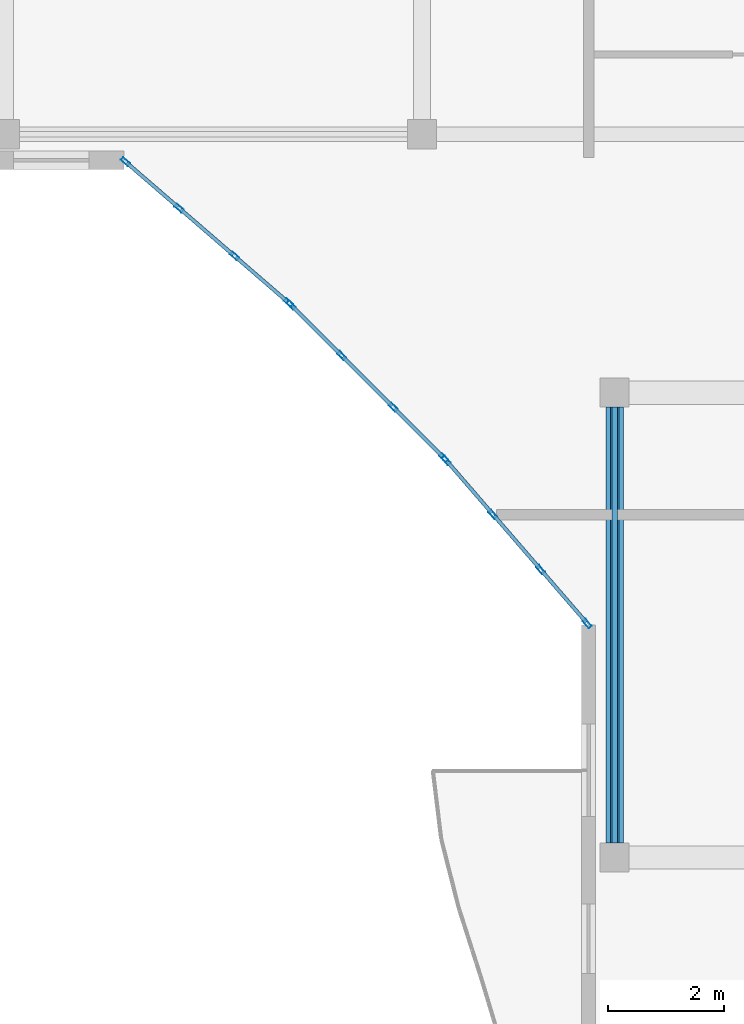
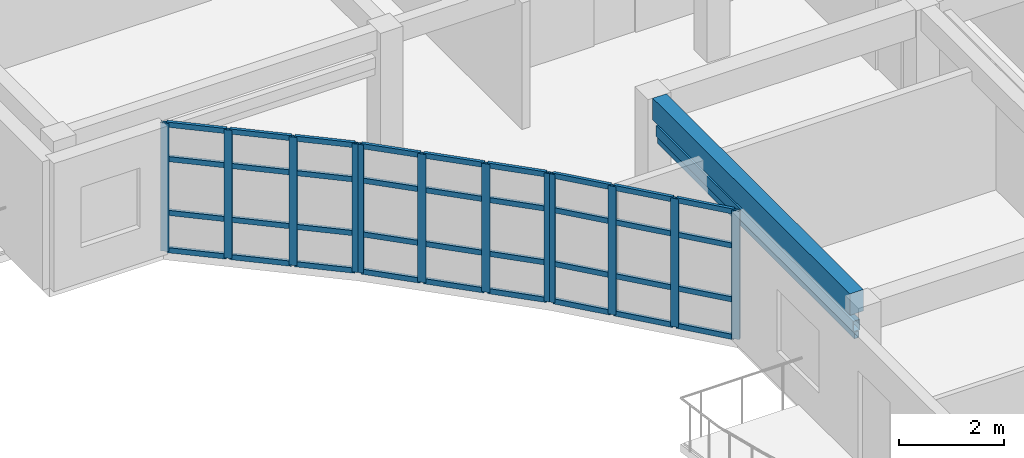
# One storey, part 3 of 30: 50 members, 1 beam, 3 elements without a shape of their own.
"""IFC4 building model written with IfcOpenShell, lengths in metres."""

from ifc_helpers import new_model, si_unit, direction, frame, origin, origin_2d, place, context, subcontext, project, spatial, rectangle, hollow_rectangle, extrude, material, layer, layer_set, material_profile, profile_set, type_object, element, aggregate, save


model = new_model("IFC4")

# Units and contexts
model_context = context("Model", 3, precision=1e-05, world=origin(), true_north=direction((0.0, 1.0)))
body_context = subcontext(model_context, "Body", "Model", "MODEL_VIEW")
ifc_project = project(units=[si_unit("LENGTHUNIT", "METRE"), si_unit("AREAUNIT", "SQUARE_METRE"), si_unit("VOLUMEUNIT", "CUBIC_METRE"), si_unit("PLANEANGLEUNIT", "RADIAN"), si_unit("MASSUNIT", "GRAM", prefix="KILO")], contexts=[model_context])

# Site, building, storey
site_placement = place(None, origin())
site = spatial("IfcSite", under=ifc_project, at=site_placement, CompositionType="ELEMENT")
building_placement = place(site_placement, origin())
building = spatial("IfcBuilding", under=site, at=building_placement, Name="Keldmere Railside Commons", CompositionType="ELEMENT")
storey_placement = place(building_placement, frame((0.0, 0.0, 36.159912109375)))
storey = spatial("IfcBuildingStorey", under=building, at=storey_placement, Name="L11", CompositionType="ELEMENT", Elevation=36.159912109375)

# Member
ifc_material_1 = material(Name="Steel F-36 (S355)", Category="steel")
ifc_material_profile_1 = material_profile(ifc_material_1, hollow_rectangle(XDim=0.14990234375, YDim=0.25, WallThickness=0.010009765625, at=origin_2d()), Name="RHS-250x150x10")
ifc_profile_set_1 = profile_set([ifc_material_profile_1], Name="Steel F-36 (S355)")
member_type_1 = type_object("IfcMemberType", Name="Balcony Continuous Planted Trough RHS250x150", PredefinedType="CHORD", material=ifc_profile_set_1)
member_1_placement = place(storey_placement, frame((104.449951171875, 88.25, 2.4150390625), z_axis=(0.0, 1.0, 0.0), x_axis=(-1.0, 0.0, 0.0)))
element("IfcMember", 1, at=member_1_placement, inside=storey, type_object=member_type_1, Name="PLT-1 MEM-BPLT-1011", PredefinedType="CHORD", context=body_context, shape_type="SweptSolid", body=[
    extrude(hollow_rectangle(XDim=0.14990234375, YDim=0.25, WallThickness=0.010009765625, at=origin_2d()), origin(), (0.0, 0.0, 1.0), 7.5),
])

# Beam
ifc_material_2 = material(Name="Concrete H-30 (C30/37)", Category="concrete")
ifc_material_profile_2 = material_profile(ifc_material_2, rectangle(XDim=0.300048828125, YDim=0.5, at=origin_2d()), Name="RC-300x500")
ifc_profile_set_2 = profile_set([ifc_material_profile_2], Name="Concrete H-30 (C30/37)")
beam_type = type_object("IfcBeamType", Name="Secondary Frame RC Beam 300x500", PredefinedType="BEAM", material=ifc_profile_set_2)
beam_placement = place(storey_placement, frame((104.449951171875, 88.25, 2.9501953125), z_axis=(0.0, 1.0, 0.0), x_axis=(-1.0, 0.0, 0.0)))
element("IfcBeam", 2, at=beam_placement, inside=storey, type_object=beam_type, Name="BG-5 BM-L11-2461", PredefinedType="BEAM", context=body_context, shape_type="SweptSolid", body=[
    extrude(rectangle(XDim=0.300048828125, YDim=0.5, at=origin_2d()), origin(), (0.0, 0.0, 1.0), 7.5),
])

# Member
ifc_material_profile_3 = material_profile(ifc_material_1, hollow_rectangle(XDim=0.10009765625, YDim=0.159912109375, WallThickness=0.008056640625, at=origin_2d()), Name="RHS-160x100x8")
ifc_profile_set_3 = profile_set([ifc_material_profile_3], Name="Steel F-36 (S355)")
member_type_2 = type_object("IfcMemberType", Name="Solar Brise-Soleil Louvre Fin RHS160x100", PredefinedType="STRUT", material=ifc_profile_set_3)
member_2_placement = place(storey_placement, frame((104.449951171875, 88.25, 2.2001953125), z_axis=(0.0, 1.0, 0.0), x_axis=(-1.0, 0.0, 0.0)))
element("IfcMember", 3, at=member_2_placement, inside=storey, type_object=member_type_2, Name="BSF-1 MEM-BSF-1012", PredefinedType="STRUT", context=body_context, shape_type="SweptSolid", body=[
    extrude(hollow_rectangle(XDim=0.10009765625, YDim=0.159912109375, WallThickness=0.008056640625, at=origin_2d()), origin(), (0.0, 0.0, 1.0), 7.5),
])

# Curtain wall, members
ifc_material_3 = material(Name="Thermally Broken Aluminium", Category="aluminium")
ifc_layer_1 = layer(ifc_material_3, 0.159912109375, Name="Court Chord Wintergarden CW 4800x2850")
ifc_layer_set_1 = layer_set([ifc_layer_1], Name="Thermally Broken Aluminium")
curtain_wall_type_1 = type_object("IfcCurtainWallType", Name="Court Chord Wintergarden CW 4800x2850", PredefinedType="NOTDEFINED", material=ifc_layer_set_1)
curtain_wall_1_placement = place(storey_placement, origin())
curtain_wall_1 = element("IfcCurtainWall", 4, at=curtain_wall_1_placement, inside=storey, type_object=curtain_wall_type_1, Name="CW-12 CW-L11-154", PredefinedType="NOTDEFINED")
ifc_material_profile_4 = material_profile(ifc_material_3, hollow_rectangle(XDim=0.06494140625, YDim=0.159912109375, WallThickness=0.00390625, at=origin_2d()), Name="ALU-MULL-65x160")
ifc_profile_set_4 = profile_set([ifc_material_profile_4], Name="Thermally Broken Aluminium")
member_type_3 = type_object("IfcMemberType", Name="Unitised Curtain Wall Mullion 65x160", PredefinedType="MULLION", material=ifc_profile_set_4)
member_3_placement = place(storey_placement, frame((98.83349609375, 97.55126953125, 0.0), z_axis=(0.0, 0.0, 1.0), x_axis=(-0.653881741053, -0.756596767584, 0.0)))
member_3 = element("IfcMember", 5, at=member_3_placement, type_object=member_type_3, Name="CW-12 mullion 1", PredefinedType="MULLION", context=body_context, shape_type="SweptSolid", body=[
    extrude(hollow_rectangle(XDim=0.06494140625, YDim=0.159912109375, WallThickness=0.00390625, at=origin_2d()), origin(), (0.0, 0.0, 1.0), 2.97998046875),
])
member_4_placement = place(storey_placement, frame((97.9052734375, 98.353271484375, 0.0), z_axis=(0.0, 0.0, 1.0), x_axis=(-0.653881741053, -0.756596767584, 0.0)))
member_4 = element("IfcMember", 6, at=member_4_placement, type_object=member_type_3, Name="CW-12 mullion 2", PredefinedType="MULLION", context=body_context, shape_type="SweptSolid", body=[
    extrude(hollow_rectangle(XDim=0.06494140625, YDim=0.159912109375, WallThickness=0.00390625, at=origin_2d()), origin(), (0.0, 0.0, 1.0), 2.97998046875),
])
member_5_placement = place(storey_placement, frame((96.95263671875, 99.1767578125, 0.0), z_axis=(0.0, 0.0, 1.0), x_axis=(-0.653881741053, -0.756596767584, 0.0)))
member_5 = element("IfcMember", 7, at=member_5_placement, type_object=member_type_3, Name="CW-12 mullion 3", PredefinedType="MULLION", context=body_context, shape_type="SweptSolid", body=[
    extrude(hollow_rectangle(XDim=0.06494140625, YDim=0.159912109375, WallThickness=0.00390625, at=origin_2d()), origin(), (0.0, 0.0, 1.0), 2.97998046875),
])
member_6_placement = place(storey_placement, frame((96.024658203125, 99.978759765625, 0.0), z_axis=(0.0, 0.0, 1.0), x_axis=(-0.653881741053, -0.756596767584, 0.0)))
member_6 = element("IfcMember", 8, at=member_6_placement, type_object=member_type_3, Name="CW-12 mullion 4", PredefinedType="MULLION", context=body_context, shape_type="SweptSolid", body=[
    extrude(hollow_rectangle(XDim=0.06494140625, YDim=0.159912109375, WallThickness=0.00390625, at=origin_2d()), origin(), (0.0, 0.0, 1.0), 2.97998046875),
])

ifc_layer_2 = layer(ifc_material_3, 0.159912109375, Name="Court Chord Wintergarden CW 5400x2850")
ifc_layer_set_2 = layer_set([ifc_layer_2], Name="Thermally Broken Aluminium")
curtain_wall_type_2 = type_object("IfcCurtainWallType", Name="Court Chord Wintergarden CW 5400x2850", PredefinedType="NOTDEFINED", material=ifc_layer_set_2)
curtain_wall_2_placement = place(storey_placement, origin())
curtain_wall_2 = element("IfcCurtainWall", 9, at=curtain_wall_2_placement, inside=storey, type_object=curtain_wall_type_2, Name="CW-13 CW-L11-155", PredefinedType="NOTDEFINED")
member_7_placement = place(storey_placement, frame((101.507080078125, 94.880859375, 0.0), z_axis=(0.0, 0.0, 1.0), x_axis=(-0.707106781187, -0.707106781187, 0.0)))
member_7 = element("IfcMember", 10, at=member_7_placement, type_object=member_type_3, Name="CW-13 mullion 1", PredefinedType="MULLION", context=body_context, shape_type="SweptSolid", body=[
    extrude(hollow_rectangle(XDim=0.06494140625, YDim=0.159912109375, WallThickness=0.00390625, at=origin_2d()), origin(), (0.0, 0.0, 1.0), 2.97998046875),
])
member_8_placement = place(storey_placement, frame((100.639404296875, 95.748779296875, 0.0), z_axis=(0.0, 0.0, 1.0), x_axis=(-0.707106781187, -0.707106781187, 0.0)))
member_8 = element("IfcMember", 11, at=member_8_placement, type_object=member_type_3, Name="CW-13 mullion 2", PredefinedType="MULLION", context=body_context, shape_type="SweptSolid", body=[
    extrude(hollow_rectangle(XDim=0.06494140625, YDim=0.159912109375, WallThickness=0.00390625, at=origin_2d()), origin(), (0.0, 0.0, 1.0), 2.97998046875),
])
member_9_placement = place(storey_placement, frame((99.748779296875, 96.639404296875, 0.0), z_axis=(0.0, 0.0, 1.0), x_axis=(-0.707106781187, -0.707106781187, 0.0)))
member_9 = element("IfcMember", 12, at=member_9_placement, type_object=member_type_3, Name="CW-13 mullion 3", PredefinedType="MULLION", context=body_context, shape_type="SweptSolid", body=[
    extrude(hollow_rectangle(XDim=0.06494140625, YDim=0.159912109375, WallThickness=0.00390625, at=origin_2d()), origin(), (0.0, 0.0, 1.0), 2.97998046875),
])
member_10_placement = place(storey_placement, frame((98.880859375, 97.507080078125, 0.0), z_axis=(0.0, 0.0, 1.0), x_axis=(-0.707106781187, -0.707106781187, 0.0)))
member_10 = element("IfcMember", 13, at=member_10_placement, type_object=member_type_3, Name="CW-13 mullion 4", PredefinedType="MULLION", context=body_context, shape_type="SweptSolid", body=[
    extrude(hollow_rectangle(XDim=0.06494140625, YDim=0.159912109375, WallThickness=0.00390625, at=origin_2d()), origin(), (0.0, 0.0, 1.0), 2.97998046875),
])

curtain_wall_3_placement = place(storey_placement, origin())
curtain_wall_3 = element("IfcCurtainWall", 14, at=curtain_wall_3_placement, inside=storey, type_object=curtain_wall_type_1, Name="CW-12 CW-L11-156", PredefinedType="NOTDEFINED")
member_11_placement = place(storey_placement, frame((103.978759765625, 92.024658203125, 0.0), z_axis=(0.0, 0.0, 1.0), x_axis=(-0.756596767584, -0.653881741053, 0.0)))
member_11 = element("IfcMember", 15, at=member_11_placement, type_object=member_type_3, Name="CW-12 mullion 1", PredefinedType="MULLION", context=body_context, shape_type="SweptSolid", body=[
    extrude(hollow_rectangle(XDim=0.06494140625, YDim=0.159912109375, WallThickness=0.00390625, at=origin_2d()), origin(), (0.0, 0.0, 1.0), 2.97998046875),
])
member_12_placement = place(storey_placement, frame((103.1767578125, 92.95263671875, 0.0), z_axis=(0.0, 0.0, 1.0), x_axis=(-0.756596767584, -0.653881741053, 0.0)))
member_12 = element("IfcMember", 16, at=member_12_placement, type_object=member_type_3, Name="CW-12 mullion 2", PredefinedType="MULLION", context=body_context, shape_type="SweptSolid", body=[
    extrude(hollow_rectangle(XDim=0.06494140625, YDim=0.159912109375, WallThickness=0.00390625, at=origin_2d()), origin(), (0.0, 0.0, 1.0), 2.97998046875),
])
member_13_placement = place(storey_placement, frame((102.353271484375, 93.9052734375, 0.0), z_axis=(0.0, 0.0, 1.0), x_axis=(-0.756596767584, -0.653881741053, 0.0)))
member_13 = element("IfcMember", 17, at=member_13_placement, type_object=member_type_3, Name="CW-12 mullion 3", PredefinedType="MULLION", context=body_context, shape_type="SweptSolid", body=[
    extrude(hollow_rectangle(XDim=0.06494140625, YDim=0.159912109375, WallThickness=0.00390625, at=origin_2d()), origin(), (0.0, 0.0, 1.0), 2.97998046875),
])
member_14_placement = place(storey_placement, frame((101.55126953125, 94.83349609375, 0.0), z_axis=(0.0, 0.0, 1.0), x_axis=(-0.756596767584, -0.653881741053, 0.0)))
member_14 = element("IfcMember", 18, at=member_14_placement, type_object=member_type_3, Name="CW-12 mullion 4", PredefinedType="MULLION", context=body_context, shape_type="SweptSolid", body=[
    extrude(hollow_rectangle(XDim=0.06494140625, YDim=0.159912109375, WallThickness=0.00390625, at=origin_2d()), origin(), (0.0, 0.0, 1.0), 2.97998046875),
])

# Member
ifc_material_profile_5 = material_profile(ifc_material_3, hollow_rectangle(XDim=0.06494140625, YDim=0.1201171875, WallThickness=0.00390625, at=origin_2d()), Name="ALU-TRAN-65x120")
ifc_profile_set_5 = profile_set([ifc_material_profile_5], Name="Thermally Broken Aluminium")
member_type_4 = type_object("IfcMemberType", Name="Unitised Curtain Wall Transom 65x120", PredefinedType="USERDEFINED", material=ifc_profile_set_5)
member_15_placement = place(storey_placement, frame((98.808837890625, 97.572509765625, 0.032470703125), z_axis=(-0.756624489527, 0.653849663033, 0.0), x_axis=(-0.653849663033, -0.756624489527, 0.0)))
member_15 = element("IfcMember", 19, at=member_15_placement, type_object=member_type_4, Name="CW-12 transom 1.1", ObjectType="TRANSOM", PredefinedType="USERDEFINED", context=body_context, shape_type="SweptSolid", body=[
    extrude(hollow_rectangle(XDim=0.06494140625, YDim=0.1201171875, WallThickness=0.00390625, at=origin_2d()), origin(), (0.0, 0.0, 1.0), 1.16162109375),
])

member_16_placement = place(storey_placement, frame((98.808837890625, 97.572509765625, 0.900146484375), z_axis=(-0.756624489527, 0.653849663033, 0.0), x_axis=(-0.653849663033, -0.756624489527, 0.0)))
member_16 = element("IfcMember", 20, at=member_16_placement, type_object=member_type_4, Name="CW-12 transom 1.2", ObjectType="TRANSOM", PredefinedType="USERDEFINED", context=body_context, shape_type="SweptSolid", body=[
    extrude(hollow_rectangle(XDim=0.06494140625, YDim=0.1201171875, WallThickness=0.00390625, at=origin_2d()), origin(), (0.0, 0.0, 1.0), 1.16162109375),
])

member_17_placement = place(storey_placement, frame((98.808837890625, 97.572509765625, 2.150146484375), z_axis=(-0.756624489527, 0.653849663033, 0.0), x_axis=(-0.653849663033, -0.756624489527, 0.0)))
member_17 = element("IfcMember", 21, at=member_17_placement, type_object=member_type_4, Name="CW-12 transom 1.3", ObjectType="TRANSOM", PredefinedType="USERDEFINED", context=body_context, shape_type="SweptSolid", body=[
    extrude(hollow_rectangle(XDim=0.06494140625, YDim=0.1201171875, WallThickness=0.00390625, at=origin_2d()), origin(), (0.0, 0.0, 1.0), 1.16162109375),
])

member_18_placement = place(storey_placement, frame((98.808837890625, 97.572509765625, 2.947509765625), z_axis=(-0.756624489527, 0.653849663033, 0.0), x_axis=(-0.653849663033, -0.756624489527, 0.0)))
member_18 = element("IfcMember", 22, at=member_18_placement, type_object=member_type_4, Name="CW-12 transom 1.4", ObjectType="TRANSOM", PredefinedType="USERDEFINED", context=body_context, shape_type="SweptSolid", body=[
    extrude(hollow_rectangle(XDim=0.06494140625, YDim=0.1201171875, WallThickness=0.00390625, at=origin_2d()), origin(), (0.0, 0.0, 1.0), 1.16162109375),
])

member_19_placement = place(storey_placement, frame((97.880859375, 98.37451171875, 0.032470703125), z_axis=(-0.756551755881, 0.653933819796, 0.0), x_axis=(-0.653933819796, -0.756551755881, 0.0)))
member_19 = element("IfcMember", 23, at=member_19_placement, type_object=member_type_4, Name="CW-12 transom 2.1", ObjectType="TRANSOM", PredefinedType="USERDEFINED", context=body_context, shape_type="SweptSolid", body=[
    extrude(hollow_rectangle(XDim=0.06494140625, YDim=0.1201171875, WallThickness=0.00390625, at=origin_2d()), origin(), (0.0, 0.0, 1.0), 1.1943359375),
])

member_20_placement = place(storey_placement, frame((97.880859375, 98.37451171875, 0.900146484375), z_axis=(-0.756551755881, 0.653933819796, 0.0), x_axis=(-0.653933819796, -0.756551755881, 0.0)))
member_20 = element("IfcMember", 24, at=member_20_placement, type_object=member_type_4, Name="CW-12 transom 2.2", ObjectType="TRANSOM", PredefinedType="USERDEFINED", context=body_context, shape_type="SweptSolid", body=[
    extrude(hollow_rectangle(XDim=0.06494140625, YDim=0.1201171875, WallThickness=0.00390625, at=origin_2d()), origin(), (0.0, 0.0, 1.0), 1.1943359375),
])

member_21_placement = place(storey_placement, frame((97.880859375, 98.37451171875, 2.150146484375), z_axis=(-0.756551755881, 0.653933819796, 0.0), x_axis=(-0.653933819796, -0.756551755881, 0.0)))
member_21 = element("IfcMember", 25, at=member_21_placement, type_object=member_type_4, Name="CW-12 transom 2.3", ObjectType="TRANSOM", PredefinedType="USERDEFINED", context=body_context, shape_type="SweptSolid", body=[
    extrude(hollow_rectangle(XDim=0.06494140625, YDim=0.1201171875, WallThickness=0.00390625, at=origin_2d()), origin(), (0.0, 0.0, 1.0), 1.1943359375),
])

member_22_placement = place(storey_placement, frame((97.880859375, 98.37451171875, 2.947509765625), z_axis=(-0.756551755881, 0.653933819796, 0.0), x_axis=(-0.653933819796, -0.756551755881, 0.0)))
member_22 = element("IfcMember", 26, at=member_22_placement, type_object=member_type_4, Name="CW-12 transom 2.4", ObjectType="TRANSOM", PredefinedType="USERDEFINED", context=body_context, shape_type="SweptSolid", body=[
    extrude(hollow_rectangle(XDim=0.06494140625, YDim=0.1201171875, WallThickness=0.00390625, at=origin_2d()), origin(), (0.0, 0.0, 1.0), 1.1943359375),
])

member_23_placement = place(storey_placement, frame((96.927978515625, 99.197998046875, 0.032470703125), z_axis=(-0.756624489527, 0.653849663033, 0.0), x_axis=(-0.653849663033, -0.756624489527, 0.0)))
member_23 = element("IfcMember", 27, at=member_23_placement, type_object=member_type_4, Name="CW-12 transom 3.1", ObjectType="TRANSOM", PredefinedType="USERDEFINED", context=body_context, shape_type="SweptSolid", body=[
    extrude(hollow_rectangle(XDim=0.06494140625, YDim=0.1201171875, WallThickness=0.00390625, at=origin_2d()), origin(), (0.0, 0.0, 1.0), 1.16162109375),
])

member_24_placement = place(storey_placement, frame((96.927978515625, 99.197998046875, 0.900146484375), z_axis=(-0.756624489527, 0.653849663033, 0.0), x_axis=(-0.653849663033, -0.756624489527, 0.0)))
member_24 = element("IfcMember", 28, at=member_24_placement, type_object=member_type_4, Name="CW-12 transom 3.2", ObjectType="TRANSOM", PredefinedType="USERDEFINED", context=body_context, shape_type="SweptSolid", body=[
    extrude(hollow_rectangle(XDim=0.06494140625, YDim=0.1201171875, WallThickness=0.00390625, at=origin_2d()), origin(), (0.0, 0.0, 1.0), 1.16162109375),
])

member_25_placement = place(storey_placement, frame((96.927978515625, 99.197998046875, 2.150146484375), z_axis=(-0.756624489527, 0.653849663033, 0.0), x_axis=(-0.653849663033, -0.756624489527, 0.0)))
member_25 = element("IfcMember", 29, at=member_25_placement, type_object=member_type_4, Name="CW-12 transom 3.3", ObjectType="TRANSOM", PredefinedType="USERDEFINED", context=body_context, shape_type="SweptSolid", body=[
    extrude(hollow_rectangle(XDim=0.06494140625, YDim=0.1201171875, WallThickness=0.00390625, at=origin_2d()), origin(), (0.0, 0.0, 1.0), 1.16162109375),
])

member_26_placement = place(storey_placement, frame((96.927978515625, 99.197998046875, 2.947509765625), z_axis=(-0.756624489527, 0.653849663033, 0.0), x_axis=(-0.653849663033, -0.756624489527, 0.0)))
member_26 = element("IfcMember", 30, at=member_26_placement, type_object=member_type_4, Name="CW-12 transom 3.4", ObjectType="TRANSOM", PredefinedType="USERDEFINED", context=body_context, shape_type="SweptSolid", body=[
    extrude(hollow_rectangle(XDim=0.06494140625, YDim=0.1201171875, WallThickness=0.00390625, at=origin_2d()), origin(), (0.0, 0.0, 1.0), 1.16162109375),
])

aggregate(curtain_wall_1, [member_3, member_4, member_5, member_6, member_15, member_16, member_17, member_18, member_19, member_20, member_21, member_22, member_23, member_24, member_25, member_26])

member_27_placement = place(storey_placement, frame((101.484130859375, 94.904052734375, 0.032470703125), z_axis=(-0.707211825645, 0.707001721121, 0.0), x_axis=(-0.707001721121, -0.707211825645, 0.0)))
member_27 = element("IfcMember", 31, at=member_27_placement, type_object=member_type_4, Name="CW-13 transom 1.1", ObjectType="TRANSOM", PredefinedType="USERDEFINED", context=body_context, shape_type="SweptSolid", body=[
    extrude(hollow_rectangle(XDim=0.06494140625, YDim=0.1201171875, WallThickness=0.00390625, at=origin_2d()), origin(), (0.0, 0.0, 1.0), 1.162109375),
])

member_28_placement = place(storey_placement, frame((101.484130859375, 94.904052734375, 0.900146484375), z_axis=(-0.707211825645, 0.707001721121, 0.0), x_axis=(-0.707001721121, -0.707211825645, 0.0)))
member_28 = element("IfcMember", 32, at=member_28_placement, type_object=member_type_4, Name="CW-13 transom 1.2", ObjectType="TRANSOM", PredefinedType="USERDEFINED", context=body_context, shape_type="SweptSolid", body=[
    extrude(hollow_rectangle(XDim=0.06494140625, YDim=0.1201171875, WallThickness=0.00390625, at=origin_2d()), origin(), (0.0, 0.0, 1.0), 1.162109375),
])

member_29_placement = place(storey_placement, frame((101.484130859375, 94.904052734375, 2.150146484375), z_axis=(-0.707211825645, 0.707001721121, 0.0), x_axis=(-0.707001721121, -0.707211825645, 0.0)))
member_29 = element("IfcMember", 33, at=member_29_placement, type_object=member_type_4, Name="CW-13 transom 1.3", ObjectType="TRANSOM", PredefinedType="USERDEFINED", context=body_context, shape_type="SweptSolid", body=[
    extrude(hollow_rectangle(XDim=0.06494140625, YDim=0.1201171875, WallThickness=0.00390625, at=origin_2d()), origin(), (0.0, 0.0, 1.0), 1.162109375),
])

member_30_placement = place(storey_placement, frame((101.484130859375, 94.904052734375, 2.947509765625), z_axis=(-0.707211825645, 0.707001721121, 0.0), x_axis=(-0.707001721121, -0.707211825645, 0.0)))
member_30 = element("IfcMember", 34, at=member_30_placement, type_object=member_type_4, Name="CW-13 transom 1.4", ObjectType="TRANSOM", PredefinedType="USERDEFINED", context=body_context, shape_type="SweptSolid", body=[
    extrude(hollow_rectangle(XDim=0.06494140625, YDim=0.1201171875, WallThickness=0.00390625, at=origin_2d()), origin(), (0.0, 0.0, 1.0), 1.162109375),
])

member_31_placement = place(storey_placement, frame((100.616455078125, 95.771728515625, 0.032470703125), z_axis=(-0.707106781187, 0.707106781187, 0.0), x_axis=(-0.707106781187, -0.707106781187, 0.0)))
member_31 = element("IfcMember", 35, at=member_31_placement, type_object=member_type_4, Name="CW-13 transom 2.1", ObjectType="TRANSOM", PredefinedType="USERDEFINED", context=body_context, shape_type="SweptSolid", body=[
    extrude(hollow_rectangle(XDim=0.06494140625, YDim=0.1201171875, WallThickness=0.00390625, at=origin_2d()), origin(), (0.0, 0.0, 1.0), 1.194580078125),
])

member_32_placement = place(storey_placement, frame((100.616455078125, 95.771728515625, 0.900146484375), z_axis=(-0.707106781187, 0.707106781187, 0.0), x_axis=(-0.707106781187, -0.707106781187, 0.0)))
member_32 = element("IfcMember", 36, at=member_32_placement, type_object=member_type_4, Name="CW-13 transom 2.2", ObjectType="TRANSOM", PredefinedType="USERDEFINED", context=body_context, shape_type="SweptSolid", body=[
    extrude(hollow_rectangle(XDim=0.06494140625, YDim=0.1201171875, WallThickness=0.00390625, at=origin_2d()), origin(), (0.0, 0.0, 1.0), 1.194580078125),
])

member_33_placement = place(storey_placement, frame((100.616455078125, 95.771728515625, 2.150146484375), z_axis=(-0.707106781187, 0.707106781187, 0.0), x_axis=(-0.707106781187, -0.707106781187, 0.0)))
member_33 = element("IfcMember", 37, at=member_33_placement, type_object=member_type_4, Name="CW-13 transom 2.3", ObjectType="TRANSOM", PredefinedType="USERDEFINED", context=body_context, shape_type="SweptSolid", body=[
    extrude(hollow_rectangle(XDim=0.06494140625, YDim=0.1201171875, WallThickness=0.00390625, at=origin_2d()), origin(), (0.0, 0.0, 1.0), 1.194580078125),
])

member_34_placement = place(storey_placement, frame((100.616455078125, 95.771728515625, 2.947509765625), z_axis=(-0.707106781187, 0.707106781187, 0.0), x_axis=(-0.707106781187, -0.707106781187, 0.0)))
member_34 = element("IfcMember", 38, at=member_34_placement, type_object=member_type_4, Name="CW-13 transom 2.4", ObjectType="TRANSOM", PredefinedType="USERDEFINED", context=body_context, shape_type="SweptSolid", body=[
    extrude(hollow_rectangle(XDim=0.06494140625, YDim=0.1201171875, WallThickness=0.00390625, at=origin_2d()), origin(), (0.0, 0.0, 1.0), 1.194580078125),
])

member_35_placement = place(storey_placement, frame((99.7255859375, 96.662353515625, 0.032470703125), z_axis=(-0.707001721121, 0.707211825645, 0.0), x_axis=(-0.707211825645, -0.707001721121, 0.0)))
member_35 = element("IfcMember", 39, at=member_35_placement, type_object=member_type_4, Name="CW-13 transom 3.1", ObjectType="TRANSOM", PredefinedType="USERDEFINED", context=body_context, shape_type="SweptSolid", body=[
    extrude(hollow_rectangle(XDim=0.06494140625, YDim=0.1201171875, WallThickness=0.00390625, at=origin_2d()), origin(), (0.0, 0.0, 1.0), 1.162109375),
])

member_36_placement = place(storey_placement, frame((99.7255859375, 96.662353515625, 0.900146484375), z_axis=(-0.707001721121, 0.707211825645, 0.0), x_axis=(-0.707211825645, -0.707001721121, 0.0)))
member_36 = element("IfcMember", 40, at=member_36_placement, type_object=member_type_4, Name="CW-13 transom 3.2", ObjectType="TRANSOM", PredefinedType="USERDEFINED", context=body_context, shape_type="SweptSolid", body=[
    extrude(hollow_rectangle(XDim=0.06494140625, YDim=0.1201171875, WallThickness=0.00390625, at=origin_2d()), origin(), (0.0, 0.0, 1.0), 1.162109375),
])

member_37_placement = place(storey_placement, frame((99.7255859375, 96.662353515625, 2.150146484375), z_axis=(-0.707001721121, 0.707211825645, 0.0), x_axis=(-0.707211825645, -0.707001721121, 0.0)))
member_37 = element("IfcMember", 41, at=member_37_placement, type_object=member_type_4, Name="CW-13 transom 3.3", ObjectType="TRANSOM", PredefinedType="USERDEFINED", context=body_context, shape_type="SweptSolid", body=[
    extrude(hollow_rectangle(XDim=0.06494140625, YDim=0.1201171875, WallThickness=0.00390625, at=origin_2d()), origin(), (0.0, 0.0, 1.0), 1.162109375),
])

member_38_placement = place(storey_placement, frame((99.7255859375, 96.662353515625, 2.947509765625), z_axis=(-0.707001721121, 0.707211825645, 0.0), x_axis=(-0.707211825645, -0.707001721121, 0.0)))
member_38 = element("IfcMember", 42, at=member_38_placement, type_object=member_type_4, Name="CW-13 transom 3.4", ObjectType="TRANSOM", PredefinedType="USERDEFINED", context=body_context, shape_type="SweptSolid", body=[
    extrude(hollow_rectangle(XDim=0.06494140625, YDim=0.1201171875, WallThickness=0.00390625, at=origin_2d()), origin(), (0.0, 0.0, 1.0), 1.162109375),
])

aggregate(curtain_wall_2, [member_7, member_8, member_9, member_10, member_27, member_28, member_29, member_30, member_31, member_32, member_33, member_34, member_35, member_36, member_37, member_38])

member_39_placement = place(storey_placement, frame((103.95751953125, 92.049072265625, 0.032470703125), z_axis=(-0.653849663033, 0.756624489527, 0.0), x_axis=(-0.756624489527, -0.653849663033, 0.0)))
member_39 = element("IfcMember", 43, at=member_39_placement, type_object=member_type_4, Name="CW-12 transom 1.1", ObjectType="TRANSOM", PredefinedType="USERDEFINED", context=body_context, shape_type="SweptSolid", body=[
    extrude(hollow_rectangle(XDim=0.06494140625, YDim=0.1201171875, WallThickness=0.00390625, at=origin_2d()), origin(), (0.0, 0.0, 1.0), 1.16162109375),
])

member_40_placement = place(storey_placement, frame((103.95751953125, 92.049072265625, 0.900146484375), z_axis=(-0.653849663033, 0.756624489527, 0.0), x_axis=(-0.756624489527, -0.653849663033, 0.0)))
member_40 = element("IfcMember", 44, at=member_40_placement, type_object=member_type_4, Name="CW-12 transom 1.2", ObjectType="TRANSOM", PredefinedType="USERDEFINED", context=body_context, shape_type="SweptSolid", body=[
    extrude(hollow_rectangle(XDim=0.06494140625, YDim=0.1201171875, WallThickness=0.00390625, at=origin_2d()), origin(), (0.0, 0.0, 1.0), 1.16162109375),
])

member_41_placement = place(storey_placement, frame((103.95751953125, 92.049072265625, 2.150146484375), z_axis=(-0.653849663033, 0.756624489527, 0.0), x_axis=(-0.756624489527, -0.653849663033, 0.0)))
member_41 = element("IfcMember", 45, at=member_41_placement, type_object=member_type_4, Name="CW-12 transom 1.3", ObjectType="TRANSOM", PredefinedType="USERDEFINED", context=body_context, shape_type="SweptSolid", body=[
    extrude(hollow_rectangle(XDim=0.06494140625, YDim=0.1201171875, WallThickness=0.00390625, at=origin_2d()), origin(), (0.0, 0.0, 1.0), 1.16162109375),
])

member_42_placement = place(storey_placement, frame((103.95751953125, 92.049072265625, 2.947509765625), z_axis=(-0.653849663033, 0.756624489527, 0.0), x_axis=(-0.756624489527, -0.653849663033, 0.0)))
member_42 = element("IfcMember", 46, at=member_42_placement, type_object=member_type_4, Name="CW-12 transom 1.4", ObjectType="TRANSOM", PredefinedType="USERDEFINED", context=body_context, shape_type="SweptSolid", body=[
    extrude(hollow_rectangle(XDim=0.06494140625, YDim=0.1201171875, WallThickness=0.00390625, at=origin_2d()), origin(), (0.0, 0.0, 1.0), 1.16162109375),
])

member_43_placement = place(storey_placement, frame((103.155517578125, 92.977294921875, 0.032470703125), z_axis=(-0.653933819796, 0.756551755881, 0.0), x_axis=(-0.756551755881, -0.653933819796, 0.0)))
member_43 = element("IfcMember", 47, at=member_43_placement, type_object=member_type_4, Name="CW-12 transom 2.1", ObjectType="TRANSOM", PredefinedType="USERDEFINED", context=body_context, shape_type="SweptSolid", body=[
    extrude(hollow_rectangle(XDim=0.06494140625, YDim=0.1201171875, WallThickness=0.00390625, at=origin_2d()), origin(), (0.0, 0.0, 1.0), 1.1943359375),
])

member_44_placement = place(storey_placement, frame((103.155517578125, 92.977294921875, 0.900146484375), z_axis=(-0.653933819796, 0.756551755881, 0.0), x_axis=(-0.756551755881, -0.653933819796, 0.0)))
member_44 = element("IfcMember", 48, at=member_44_placement, type_object=member_type_4, Name="CW-12 transom 2.2", ObjectType="TRANSOM", PredefinedType="USERDEFINED", context=body_context, shape_type="SweptSolid", body=[
    extrude(hollow_rectangle(XDim=0.06494140625, YDim=0.1201171875, WallThickness=0.00390625, at=origin_2d()), origin(), (0.0, 0.0, 1.0), 1.1943359375),
])

member_45_placement = place(storey_placement, frame((103.155517578125, 92.977294921875, 2.150146484375), z_axis=(-0.653933819796, 0.756551755881, 0.0), x_axis=(-0.756551755881, -0.653933819796, 0.0)))
member_45 = element("IfcMember", 49, at=member_45_placement, type_object=member_type_4, Name="CW-12 transom 2.3", ObjectType="TRANSOM", PredefinedType="USERDEFINED", context=body_context, shape_type="SweptSolid", body=[
    extrude(hollow_rectangle(XDim=0.06494140625, YDim=0.1201171875, WallThickness=0.00390625, at=origin_2d()), origin(), (0.0, 0.0, 1.0), 1.1943359375),
])

member_46_placement = place(storey_placement, frame((103.155517578125, 92.977294921875, 2.947509765625), z_axis=(-0.653933819796, 0.756551755881, 0.0), x_axis=(-0.756551755881, -0.653933819796, 0.0)))
member_46 = element("IfcMember", 50, at=member_46_placement, type_object=member_type_4, Name="CW-12 transom 2.4", ObjectType="TRANSOM", PredefinedType="USERDEFINED", context=body_context, shape_type="SweptSolid", body=[
    extrude(hollow_rectangle(XDim=0.06494140625, YDim=0.1201171875, WallThickness=0.00390625, at=origin_2d()), origin(), (0.0, 0.0, 1.0), 1.1943359375),
])

member_47_placement = place(storey_placement, frame((102.33203125, 93.929931640625, 0.032470703125), z_axis=(-0.653849663033, 0.756624489527, 0.0), x_axis=(-0.756624489527, -0.653849663033, 0.0)))
member_47 = element("IfcMember", 51, at=member_47_placement, type_object=member_type_4, Name="CW-12 transom 3.1", ObjectType="TRANSOM", PredefinedType="USERDEFINED", context=body_context, shape_type="SweptSolid", body=[
    extrude(hollow_rectangle(XDim=0.06494140625, YDim=0.1201171875, WallThickness=0.00390625, at=origin_2d()), origin(), (0.0, 0.0, 1.0), 1.16162109375),
])

member_48_placement = place(storey_placement, frame((102.33203125, 93.929931640625, 0.900146484375), z_axis=(-0.653849663033, 0.756624489527, 0.0), x_axis=(-0.756624489527, -0.653849663033, 0.0)))
member_48 = element("IfcMember", 52, at=member_48_placement, type_object=member_type_4, Name="CW-12 transom 3.2", ObjectType="TRANSOM", PredefinedType="USERDEFINED", context=body_context, shape_type="SweptSolid", body=[
    extrude(hollow_rectangle(XDim=0.06494140625, YDim=0.1201171875, WallThickness=0.00390625, at=origin_2d()), origin(), (0.0, 0.0, 1.0), 1.16162109375),
])

member_49_placement = place(storey_placement, frame((102.33203125, 93.929931640625, 2.150146484375), z_axis=(-0.653849663033, 0.756624489527, 0.0), x_axis=(-0.756624489527, -0.653849663033, 0.0)))
member_49 = element("IfcMember", 53, at=member_49_placement, type_object=member_type_4, Name="CW-12 transom 3.3", ObjectType="TRANSOM", PredefinedType="USERDEFINED", context=body_context, shape_type="SweptSolid", body=[
    extrude(hollow_rectangle(XDim=0.06494140625, YDim=0.1201171875, WallThickness=0.00390625, at=origin_2d()), origin(), (0.0, 0.0, 1.0), 1.16162109375),
])

member_50_placement = place(storey_placement, frame((102.33203125, 93.929931640625, 2.947509765625), z_axis=(-0.653849663033, 0.756624489527, 0.0), x_axis=(-0.756624489527, -0.653849663033, 0.0)))
member_50 = element("IfcMember", 54, at=member_50_placement, type_object=member_type_4, Name="CW-12 transom 3.4", ObjectType="TRANSOM", PredefinedType="USERDEFINED", context=body_context, shape_type="SweptSolid", body=[
    extrude(hollow_rectangle(XDim=0.06494140625, YDim=0.1201171875, WallThickness=0.00390625, at=origin_2d()), origin(), (0.0, 0.0, 1.0), 1.16162109375),
])

aggregate(curtain_wall_3, [member_11, member_12, member_13, member_14, member_39, member_40, member_41, member_42, member_43, member_44, member_45, member_46, member_47, member_48, member_49, member_50])

save(model, "model.ifc")
